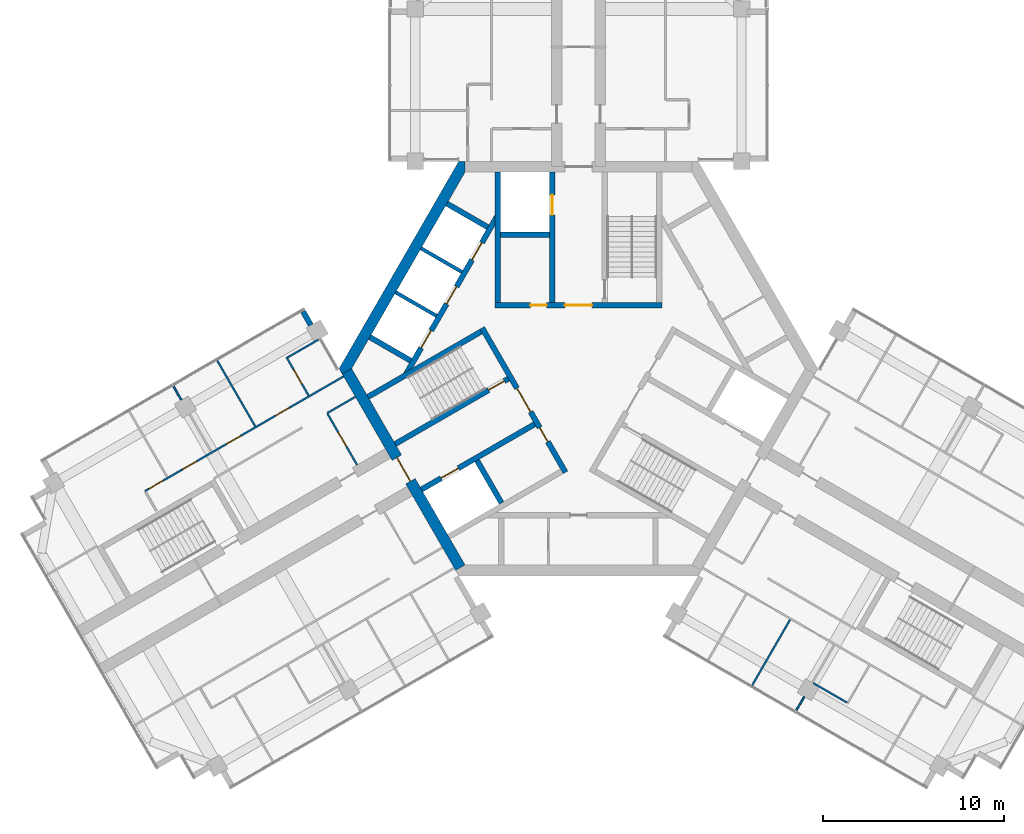
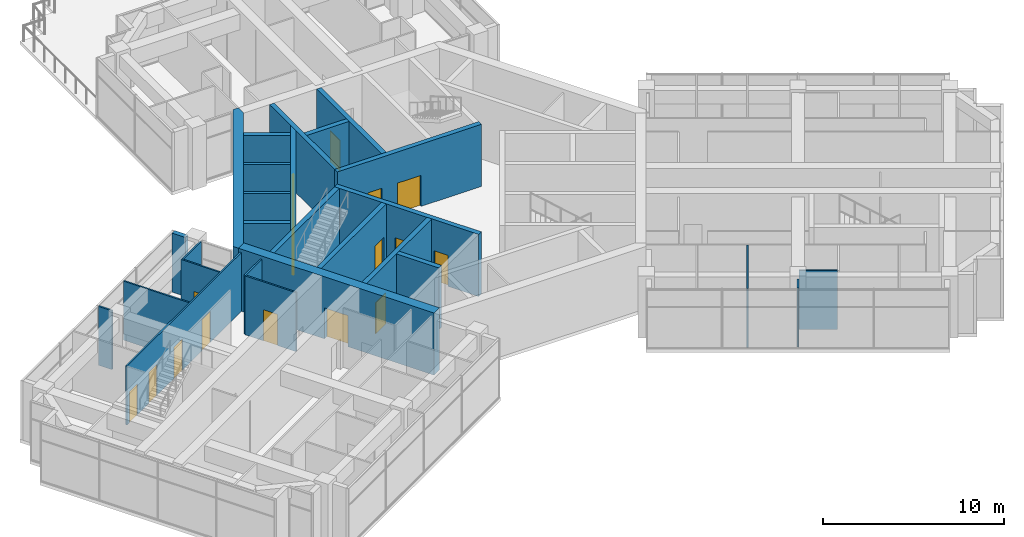
# One storey, part 11 of 15: 27 walls, 17 doors, 17 openings.
"""IFC4 building model written with IfcOpenShell, lengths in metres."""

from ifc_helpers import new_model, si_unit, direction, frame, frame_2d, origin, place, context, subcontext, project, spatial, polyline, rectangle, outline, extrude, material, layer, layer_set, type_object, element, fill, save


model = new_model("IFC4")

# Units and contexts
model_context = context("Model", 3, precision=1e-05, world=origin(), true_north=direction((0.0, 1.0)))
body_context = subcontext(model_context, "Body", "Model", "MODEL_VIEW")
ifc_project = project(units=[si_unit("LENGTHUNIT", "METRE"), si_unit("AREAUNIT", "SQUARE_METRE"), si_unit("VOLUMEUNIT", "CUBIC_METRE"), si_unit("PLANEANGLEUNIT", "RADIAN"), si_unit("MASSUNIT", "GRAM", prefix="KILO")], contexts=[model_context])

# Site, building, storey
site_placement = place(None, origin())
site = spatial("IfcSite", under=ifc_project, at=site_placement, CompositionType="ELEMENT")
building_placement = place(site_placement, origin())
building = spatial("IfcBuilding", under=site, at=building_placement, Name="Impinga Residences", CompositionType="ELEMENT")
storey_placement = place(building_placement, frame((0.0, 0.0, 274.75)))
storey = spatial("IfcBuildingStorey", under=building, at=storey_placement, Name="L69", CompositionType="ELEMENT", Elevation=274.75)

# Walls
ifc_material_1 = material(Name="Stone facing on blockwork", Category="masonry")
ifc_layer_1 = layer(ifc_material_1, 0.300048828125)
ifc_layer_set_1 = layer_set([ifc_layer_1], Name="EW2 external wall, stone facing on blockwork 300")
wall_type_1 = type_object("IfcWallType", Name="EW2 external wall, stone facing on blockwork 300", PredefinedType="SOLIDWALL", material=ifc_layer_set_1)
wall_1_placement = place(storey_placement, frame((-15.1875, 3.142333984375, 0.0), z_axis=(0.0, 0.0, 1.0), x_axis=(0.500098305348, -0.865968639725, 0.0)))
element("IfcWall", 1, at=wall_1_placement, inside=storey, type_object=wall_type_1, Name="External wall EW2 L69", PredefinedType="SOLIDWALL", context=body_context, shape_type="SweptSolid", body=[
    extrude(rectangle(XDim=0.862060546875, YDim=0.300048828125, at=frame_2d((0.43115234375, 0.0))), origin(), (0.0, 0.0, 1.0), 3.97998046875),
])
ifc_material_2 = material(Name="Gypsum board on steel studs", Category="steel")
ifc_layer_2 = layer(ifc_material_2, 0.10009765625)
ifc_layer_set_2 = layer_set([ifc_layer_2], Name="Gypsum board on steel studs")
wall_type_2 = type_object("IfcWallType", Name="IP1 partition 100", PredefinedType="PARTITIONING", material=ifc_layer_set_2)
wall_2_placement = place(storey_placement, frame((-12.300048828125, -1.558837890625, 0.0), z_axis=(0.0, 0.0, 1.0), x_axis=(-0.866047807691, -0.499961193289, 0.0)))
element("IfcWall", 2, at=wall_2_placement, inside=storey, type_object=wall_type_2, Name="Partition L69-WF1:DIV0", PredefinedType="PARTITIONING", context=body_context, shape_type="SweptSolid", body=[
    extrude(rectangle(XDim=1.800048828125, YDim=0.10009765625, at=frame_2d((0.89990234375, 0.0))), origin(), (0.0, 0.0, 1.0), 3.97998046875),
])

# Wall, openings, doors
wall_3_placement = place(storey_placement, frame((-12.949951171875, -0.43310546875, 0.0), z_axis=(0.0, 0.0, 1.0), x_axis=(-0.866029069366, -0.499993650972, 0.0)))
wall_3 = element("IfcWall", 3, at=wall_3_placement, inside=storey, type_object=wall_type_2, Name="Partition L69-WF1:STRIP", PredefinedType="PARTITIONING", context=body_context, shape_type="SweptSolid", body=[
    extrude(rectangle(XDim=12.650146484375, YDim=0.10009765625, at=frame_2d((6.3251953125, 0.0))), origin(), (0.0, 0.0, 1.0), 3.97998046875),
])
opening_1_placement = place(wall_3_placement, frame((3.449951171875, 0.0, 0.0)))
opening_1 = element("IfcOpeningElement", 4, at=opening_1_placement, cuts=wall_3, Name="Opening D2", PredefinedType="OPENING", context=body_context, shape_type="SweptSolid", body=[
    extrude(rectangle(XDim=0.89990234375, YDim=2.10009765625, at=frame_2d((0.449951171875, 1.050048828125))), frame((0.0, 0.06005859375, 0.0), z_axis=(0.0, -1.0, 0.0), x_axis=(1.0, 0.0, 0.0)), (0.0, 0.0, 1.0), 0.1201171875),
])
opening_2_placement = place(wall_3_placement, frame((6.550048828125, 0.0, 0.0)))
opening_2 = element("IfcOpeningElement", 5, at=opening_2_placement, cuts=wall_3, Name="Opening D2", PredefinedType="OPENING", context=body_context, shape_type="SweptSolid", body=[
    extrude(rectangle(XDim=0.89990234375, YDim=2.10009765625, at=frame_2d((0.449951171875, 1.050048828125))), frame((0.0, 0.06005859375, 0.0), z_axis=(0.0, -1.0, 0.0), x_axis=(1.0, 0.0, 0.0)), (0.0, 0.0, 1.0), 0.1201171875),
])
opening_3_placement = place(wall_3_placement, frame((9.35009765625, 0.0, 0.0)))
opening_3 = element("IfcOpeningElement", 6, at=opening_3_placement, cuts=wall_3, Name="Opening D2", PredefinedType="OPENING", context=body_context, shape_type="SweptSolid", body=[
    extrude(rectangle(XDim=0.89990234375, YDim=2.10009765625, at=frame_2d((0.449951171875, 1.050048828125))), frame((0.0, 0.06005859375, 0.0), z_axis=(0.0, -1.0, 0.0), x_axis=(1.0, 0.0, 0.0)), (0.0, 0.0, 1.0), 0.1201171875),
])
opening_4_placement = place(wall_3_placement, frame((11.5, 0.0, 0.0)))
opening_4 = element("IfcOpeningElement", 7, at=opening_4_placement, cuts=wall_3, Name="Opening D2", PredefinedType="OPENING", context=body_context, shape_type="SweptSolid", body=[
    extrude(rectangle(XDim=0.89990234375, YDim=2.10009765625, at=frame_2d((0.449951171875, 1.050048828125))), frame((0.0, 0.06005859375, 0.0), z_axis=(0.0, -1.0, 0.0), x_axis=(1.0, 0.0, 0.0)), (0.0, 0.0, 1.0), 0.1201171875),
])
ifc_material_3 = material(Name="Timber door set", Category="wood")
door_type_1 = type_object("IfcDoorType", Name="D2 internal door 900x2100", OperationType="SINGLE_SWING_LEFT", PredefinedType="DOOR", material=ifc_material_3)
door_1_placement = place(opening_1_placement, origin())
door_1 = element("IfcDoor", 8, at=door_1_placement, inside=storey, type_object=door_type_1, Name="Apartment L69-WF1 room door", OperationType="SINGLE_SWING_LEFT", OverallHeight=2.10009765625, OverallWidth=0.89990234375, PredefinedType="DOOR", context=body_context, shape_type="SweptSolid", body=[
    extrude(rectangle(XDim=0.89990234375, YDim=2.10009765625, at=frame_2d((0.449951171875, 1.050048828125))), frame((0.0, 0.02490234375, 0.0), z_axis=(0.0, -1.0, 0.0), x_axis=(1.0, 0.0, 0.0)), (0.0, 0.0, 1.0), 0.050048828125),
])
fill(opening_1, door_1)
door_2_placement = place(opening_2_placement, origin())
door_2 = element("IfcDoor", 9, at=door_2_placement, inside=storey, type_object=door_type_1, Name="Apartment L69-WF1 room door", OperationType="SINGLE_SWING_RIGHT", OverallHeight=2.10009765625, OverallWidth=0.89990234375, PredefinedType="DOOR", context=body_context, shape_type="SweptSolid", body=[
    extrude(rectangle(XDim=0.89990234375, YDim=2.10009765625, at=frame_2d((0.449951171875, 1.050048828125))), frame((0.0, 0.02490234375, 0.0), z_axis=(0.0, -1.0, 0.0), x_axis=(1.0, 0.0, 0.0)), (0.0, 0.0, 1.0), 0.050048828125),
])
fill(opening_2, door_2)
door_3_placement = place(opening_3_placement, origin())
door_3 = element("IfcDoor", 10, at=door_3_placement, inside=storey, type_object=door_type_1, Name="Apartment L69-WF1 room door", OperationType="SINGLE_SWING_RIGHT", OverallHeight=2.10009765625, OverallWidth=0.89990234375, PredefinedType="DOOR", context=body_context, shape_type="SweptSolid", body=[
    extrude(rectangle(XDim=0.89990234375, YDim=2.10009765625, at=frame_2d((0.449951171875, 1.050048828125))), frame((0.0, 0.02490234375, 0.0), z_axis=(0.0, -1.0, 0.0), x_axis=(1.0, 0.0, 0.0)), (0.0, 0.0, 1.0), 0.050048828125),
])
fill(opening_3, door_3)
door_4_placement = place(opening_4_placement, origin())
door_4 = element("IfcDoor", 11, at=door_4_placement, inside=storey, type_object=door_type_1, Name="Apartment L69-WF1 room door", OperationType="SINGLE_SWING_RIGHT", OverallHeight=2.10009765625, OverallWidth=0.89990234375, PredefinedType="DOOR", context=body_context, shape_type="SweptSolid", body=[
    extrude(rectangle(XDim=0.89990234375, YDim=2.10009765625, at=frame_2d((0.449951171875, 1.050048828125))), frame((0.0, 0.02490234375, 0.0), z_axis=(0.0, -1.0, 0.0), x_axis=(1.0, 0.0, 0.0)), (0.0, 0.0, 1.0), 0.050048828125),
])
fill(opening_4, door_4)

# Wall, opening, door
wall_4_placement = place(storey_placement, frame((-12.208740234375, -5.316650390625, 0.0), z_axis=(0.0, 0.0, 1.0), x_axis=(-0.500017246033, 0.866015446554, 0.0)))
wall_4 = element("IfcWall", 12, at=wall_4_placement, inside=storey, type_object=wall_type_2, Name="Partition L69-WF1:IB1", PredefinedType="PARTITIONING", context=body_context, shape_type="SweptSolid", body=[
    extrude(rectangle(XDim=3.25, YDim=0.10009765625, at=frame_2d((1.625, 0.0))), origin(), (0.0, 0.0, 1.0), 3.97998046875),
])
opening_5_placement = place(wall_4_placement, frame((1.175048828125, 0.0, 0.0)))
opening_5 = element("IfcOpeningElement", 13, at=opening_5_placement, cuts=wall_4, Name="Opening D2", PredefinedType="OPENING", context=body_context, shape_type="SweptSolid", body=[
    extrude(rectangle(XDim=0.89990234375, YDim=2.10009765625, at=frame_2d((0.449951171875, 1.050048828125))), frame((0.0, 0.06005859375, 0.0), z_axis=(0.0, -1.0, 0.0), x_axis=(1.0, 0.0, 0.0)), (0.0, 0.0, 1.0), 0.1201171875),
])
door_5_placement = place(opening_5_placement, origin())
door_5 = element("IfcDoor", 14, at=door_5_placement, inside=storey, type_object=door_type_1, Name="Apartment L69-WF1 bathroom door", OperationType="SINGLE_SWING_LEFT", OverallHeight=2.10009765625, OverallWidth=0.89990234375, PredefinedType="DOOR", context=body_context, shape_type="SweptSolid", body=[
    extrude(rectangle(XDim=0.89990234375, YDim=2.10009765625, at=frame_2d((0.449951171875, 1.050048828125))), frame((0.0, 0.02490234375, 0.0), z_axis=(0.0, -1.0, 0.0), x_axis=(1.0, 0.0, 0.0)), (0.0, 0.0, 1.0), 0.050048828125),
])
fill(opening_5, door_5)

# Walls
wall_5_placement = place(storey_placement, frame((-17.82470703125, -3.189697265625, 0.0), z_axis=(0.0, 0.0, 1.0), x_axis=(-0.500008475426, 0.86602051044, 0.0)))
element("IfcWall", 15, at=wall_5_placement, inside=storey, type_object=wall_type_2, Name="Partition L69-WF1:OB1", PredefinedType="PARTITIONING", context=body_context, shape_type="SweptSolid", body=[
    extrude(rectangle(XDim=4.18701171875, YDim=0.10009765625, at=frame_2d((2.093505859375, 0.0))), origin(), (0.0, 0.0, 1.0), 3.97998046875),
])
wall_6_placement = place(storey_placement, frame((-21.899658203125, -1.73193359375, 0.0), z_axis=(0.0, 0.0, 1.0), x_axis=(-0.499803706212, 0.866138704398, 0.0)))
element("IfcWall", 16, at=wall_6_placement, inside=storey, type_object=wall_type_2, Name="Partition L69-WF1:OB2b", PredefinedType="PARTITIONING", context=body_context, shape_type="SweptSolid", body=[
    extrude(rectangle(XDim=0.866943359375, YDim=0.10009765625, at=frame_2d((0.43359375, 0.0))), origin(), (0.0, 0.0, 1.0), 3.97998046875),
])

# Wall, opening, door
wall_7_placement = place(storey_placement, frame((-14.88037109375, -1.48974609375, 0.0), z_axis=(0.0, 0.0, 1.0), x_axis=(-0.499943856944, 0.866057815567, 0.0)))
wall_7 = element("IfcWall", 17, at=wall_7_placement, inside=storey, type_object=wall_type_2, Name="Partition L69-WF1:EN1", PredefinedType="PARTITIONING", context=body_context, shape_type="SweptSolid", body=[
    extrude(rectangle(XDim=2.449951171875, YDim=0.10009765625, at=frame_2d((1.22509765625, 0.0))), origin(), (0.0, 0.0, 1.0), 3.97998046875),
])
opening_6_placement = place(wall_7_placement, frame((0.75, 0.0, 0.0)))
opening_6 = element("IfcOpeningElement", 18, at=opening_6_placement, cuts=wall_7, Name="Opening D2", PredefinedType="OPENING", context=body_context, shape_type="SweptSolid", body=[
    extrude(rectangle(XDim=0.89990234375, YDim=2.10009765625, at=frame_2d((0.449951171875, 1.050048828125))), frame((0.0, 0.06005859375, 0.0), z_axis=(0.0, -1.0, 0.0), x_axis=(1.0, 0.0, 0.0)), (0.0, 0.0, 1.0), 0.1201171875),
])
door_6_placement = place(opening_6_placement, origin())
door_6 = element("IfcDoor", 19, at=door_6_placement, inside=storey, type_object=door_type_1, Name="Apartment L69-WF1 en-suite door", OperationType="SINGLE_SWING_LEFT", OverallHeight=2.10009765625, OverallWidth=0.89990234375, PredefinedType="DOOR", context=body_context, shape_type="SweptSolid", body=[
    extrude(rectangle(XDim=0.89990234375, YDim=2.10009765625, at=frame_2d((0.449951171875, 1.050048828125))), frame((0.0, 0.02490234375, 0.0), z_axis=(0.0, -1.0, 0.0), x_axis=(1.0, 0.0, 0.0)), (0.0, 0.0, 1.0), 0.050048828125),
])
fill(opening_6, door_6)

# Walls
wall_8_placement = place(storey_placement, frame((-14.33349609375, 1.59716796875, 0.0), z_axis=(0.0, 0.0, 1.0), x_axis=(-0.866034692906, -0.499983910424, 0.0)))
element("IfcWall", 20, at=wall_8_placement, inside=storey, type_object=wall_type_2, Name="Partition L69-WF1:EN2", PredefinedType="PARTITIONING", context=body_context, shape_type="SweptSolid", body=[
    extrude(rectangle(XDim=1.966796875, YDim=0.10009765625, at=frame_2d((0.9833984375, 0.0))), origin(), (0.0, 0.0, 1.0), 3.97998046875),
])
wall_9_placement = place(storey_placement, frame((11.6748046875, -13.841796875, 0.0), z_axis=(0.0, 0.0, 1.0), x_axis=(-0.500008475426, -0.86602051044, 0.0)))
element("IfcWall", 21, at=wall_9_placement, inside=storey, type_object=wall_type_2, Name="Partition L69-EF1:OB2", PredefinedType="PARTITIONING", context=body_context, shape_type="SweptSolid", body=[
    extrude(rectangle(XDim=4.18701171875, YDim=0.10009765625, at=frame_2d((2.093505859375, 0.0))), origin(), (0.0, 0.0, 1.0), 3.97998046875),
])
wall_10_placement = place(storey_placement, frame((12.44970703125, -18.099609375, 0.0), z_axis=(0.0, 0.0, 1.0), x_axis=(-0.500014901547, -0.866016800201, 0.0)))
element("IfcWall", 22, at=wall_10_placement, inside=storey, type_object=wall_type_2, Name="Partition L69-EF1:OB3b", PredefinedType="PARTITIONING", context=body_context, shape_type="SweptSolid", body=[
    extrude(rectangle(XDim=0.8671875, YDim=0.10009765625, at=frame_2d((0.43359375, 0.0))), origin(), (0.0, 0.0, 1.0), 3.97998046875),
])
wall_11_placement = place(storey_placement, frame((12.94287109375, -17.34521484375, 0.0), z_axis=(0.0, 0.0, 1.0), x_axis=(0.866047553582, -0.499961633463, 0.0)))
element("IfcWall", 23, at=wall_11_placement, inside=storey, type_object=wall_type_2, Name="Partition L69-EF1:EN2", PredefinedType="PARTITIONING", context=body_context, shape_type="SweptSolid", body=[
    extrude(rectangle(XDim=2.150146484375, YDim=0.10009765625, at=frame_2d((1.0751953125, 0.0))), origin(), (0.0, 0.0, 1.0), 3.97998046875),
])

# Wall, opening, door
ifc_material_4 = material(Name="Concrete C60/75", Category="concrete")
ifc_layer_3 = layer(ifc_material_4, 0.60009765625)
ifc_layer_set_3 = layer_set([ifc_layer_3], Name="Concrete C60/75")
wall_type_3 = type_object("IfcWallType", Name="SW4 core wall, crown 600", PredefinedType="SHEAR", material=ifc_layer_set_3)
wall_12_placement = place(storey_placement, frame((-6.513427734375, -10.9814453125, 0.0), z_axis=(0.0, 0.0, 1.0), x_axis=(-0.500004069281, 0.866023054371, 0.0)))
wall_12 = element("IfcWall", 24, at=wall_12_placement, inside=storey, type_object=wall_type_3, Name="Core wall SW4 W:FACE L69", PredefinedType="SHEAR", context=body_context, shape_type="SweptSolid", body=[
    extrude(rectangle(XDim=12.50732421875, YDim=0.60009765625, at=frame_2d((6.253662109375, 0.0))), origin(), (0.0, 0.0, 1.0), 4.199951171875),
])
opening_7_placement = place(wall_12_placement, frame((5.503662109375, 0.0, 0.0)))
opening_7 = element("IfcOpeningElement", 25, at=opening_7_placement, cuts=wall_12, Name="Opening D4", PredefinedType="OPENING", context=body_context, shape_type="SweptSolid", body=[
    extrude(rectangle(XDim=1.5, YDim=2.10009765625, at=frame_2d((0.75, 1.050048828125))), frame((0.0, 0.31005859375, 0.0), z_axis=(0.0, -1.0, 0.0), x_axis=(1.0, 0.0, 0.0)), (0.0, 0.0, 1.0), 0.6201171875),
])
door_type_2 = type_object("IfcDoorType", Name="D4 lobby door pair 1500x2100", OperationType="DOUBLE_DOOR_DOUBLE_SWING", PredefinedType="DOOR", material=ifc_material_3)
door_7_placement = place(opening_7_placement, origin())
door_7 = element("IfcDoor", 26, at=door_7_placement, inside=storey, type_object=door_type_2, Name="Lobby door W", OperationType="DOUBLE_DOOR_DOUBLE_SWING", OverallHeight=2.10009765625, OverallWidth=1.5, PredefinedType="DOOR", context=body_context, shape_type="SweptSolid", body=[
    extrude(rectangle(XDim=1.5, YDim=2.10009765625, at=frame_2d((0.75, 1.050048828125))), frame((0.0, 0.02490234375, 0.0), z_axis=(0.0, -1.0, 0.0), x_axis=(1.0, 0.0, 0.0)), (0.0, 0.0, 1.0), 0.050048828125),
])
fill(opening_7, door_7)

# Wall
wall_13_placement = place(storey_placement, origin())
element("IfcWall", 27, at=wall_13_placement, inside=storey, type_object=wall_type_3, Name="Core wall SW4 E:EXPOSED L69", PredefinedType="SHEAR", context=body_context, shape_type="SweptSolid", body=[
    extrude(outline(polyline([(-6.60009765625, 11.431640625), (-13.199951171875, 0.0), (-13.02685546875, -0.300048828125), (-12.507080078125, 0.0), (-6.253662109375, 10.83154296875), (-6.253662109375, 11.431640625), (-6.60009765625, 11.431640625)])), origin(), (0.0, 0.0, 1.0), 4.199951171875),
])

# Wall, openings, doors
ifc_material_5 = material(Name="Concrete C70/85", Category="concrete")
ifc_layer_4 = layer(ifc_material_5, 0.300048828125)
ifc_layer_set_4 = layer_set([ifc_layer_4], Name="Concrete C70/85")
wall_type_4 = type_object("IfcWallType", Name="SW5 core inner wall, stairs, shafts and lobbies 300", PredefinedType="SHEAR", material=ifc_layer_set_4)
wall_14_placement = place(storey_placement, frame((-4.60009765625, 3.47998046875, 0.0), z_axis=(0.0, 0.0, 1.0), x_axis=(1.0, 0.0, 0.0)))
wall_14 = element("IfcWall", 28, at=wall_14_placement, inside=storey, type_object=wall_type_4, Name="Core wall SW5 N:ZONE L69", PredefinedType="SHEAR", context=body_context, shape_type="SweptSolid", body=[
    extrude(rectangle(XDim=9.2001953125, YDim=0.300048828125, at=frame_2d((4.60009765625, 0.0))), origin(), (0.0, 0.0, 1.0), 4.199951171875),
])
opening_8_placement = place(wall_14_placement, frame((3.85009765625, 0.0, 0.0)))
opening_8 = element("IfcOpeningElement", 29, at=opening_8_placement, cuts=wall_14, Name="Opening D4", PredefinedType="OPENING", context=body_context, shape_type="SweptSolid", body=[
    extrude(rectangle(XDim=1.5, YDim=2.10009765625, at=frame_2d((0.75, 1.050048828125))), frame((0.0, 0.159912109375, 0.0), z_axis=(0.0, -1.0, 0.0), x_axis=(1.0, 0.0, 0.0)), (0.0, 0.0, 1.0), 0.320068359375),
])
opening_9_placement = place(wall_14_placement, frame((1.949951171875, 0.0, 0.0)))
opening_9 = element("IfcOpeningElement", 30, at=opening_9_placement, cuts=wall_14, Name="Opening D6", PredefinedType="OPENING", context=body_context, shape_type="SweptSolid", body=[
    extrude(rectangle(XDim=0.89990234375, YDim=2.10009765625, at=frame_2d((0.449951171875, 1.050048828125))), frame((0.0, 0.159912109375, 0.0), z_axis=(0.0, -1.0, 0.0), x_axis=(1.0, 0.0, 0.0)), (0.0, 0.0, 1.0), 0.320068359375),
])
door_8_placement = place(opening_8_placement, origin())
door_8 = element("IfcDoor", 31, at=door_8_placement, inside=storey, type_object=door_type_2, Name="Firefighting lobby door N", OperationType="DOUBLE_DOOR_DOUBLE_SWING", OverallHeight=2.10009765625, OverallWidth=1.5, PredefinedType="DOOR", context=body_context, shape_type="SweptSolid", body=[
    extrude(rectangle(XDim=1.5, YDim=2.10009765625, at=frame_2d((0.75, 1.050048828125))), frame((0.0, 0.02490234375, 0.0), z_axis=(0.0, -1.0, 0.0), x_axis=(1.0, 0.0, 0.0)), (0.0, 0.0, 1.0), 0.050048828125),
])
fill(opening_8, door_8)
door_type_3 = type_object("IfcDoorType", Name="D6 riser and store door 900x2100", OperationType="SINGLE_SWING_LEFT", PredefinedType="DOOR", material=ifc_material_3)
door_9_placement = place(opening_9_placement, origin())
door_9 = element("IfcDoor", 32, at=door_9_placement, inside=storey, type_object=door_type_3, Name="Riser door N", OperationType="SINGLE_SWING_LEFT", OverallHeight=2.10009765625, OverallWidth=0.89990234375, PredefinedType="DOOR", context=body_context, shape_type="SweptSolid", body=[
    extrude(rectangle(XDim=0.89990234375, YDim=2.10009765625, at=frame_2d((0.449951171875, 1.050048828125))), frame((0.0, 0.02490234375, 0.0), z_axis=(0.0, -1.0, 0.0), x_axis=(1.0, 0.0, 0.0)), (0.0, 0.0, 1.0), 0.050048828125),
])
fill(opening_9, door_9)

# Wall, opening, door
wall_15_placement = place(storey_placement, frame((-1.449951171875, 3.6298828125, 0.0), z_axis=(0.0, 0.0, 1.0), x_axis=(0.0, 1.0, 0.0)))
wall_15 = element("IfcWall", 33, at=wall_15_placement, inside=storey, type_object=wall_type_4, Name="Core wall SW5 N:FF-IN L69", PredefinedType="SHEAR", context=body_context, shape_type="SweptSolid", body=[
    extrude(rectangle(XDim=7.20166015625, YDim=0.300048828125, at=frame_2d((3.600830078125, 0.0))), origin(), (0.0, 0.0, 1.0), 4.199951171875),
])
opening_10_placement = place(wall_15_placement, frame((4.85009765625, 0.0, 0.0)))
opening_10 = element("IfcOpeningElement", 34, at=opening_10_placement, cuts=wall_15, Name="Opening LD2", PredefinedType="OPENING", context=body_context, shape_type="SweptSolid", body=[
    extrude(rectangle(XDim=1.10009765625, YDim=2.10009765625, at=frame_2d((0.550048828125, 1.050048828125))), frame((0.0, 0.159912109375, 0.0), z_axis=(0.0, -1.0, 0.0), x_axis=(1.0, 0.0, 0.0)), (0.0, 0.0, 1.0), 0.320068359375),
])
ifc_material_6 = material(Name="Steel lift landing door", Category="steel")
door_type_4 = type_object("IfcDoorType", Name="LD2 firefighting lift landing door 1100x2100", OperationType="DOUBLE_DOOR_SLIDING", PredefinedType="DOOR", material=ifc_material_6)
door_10_placement = place(opening_10_placement, origin())
door_10 = element("IfcDoor", 35, at=door_10_placement, inside=storey, type_object=door_type_4, Name="Firefighting lift landing door F1", OperationType="DOUBLE_DOOR_SLIDING", OverallHeight=2.10009765625, OverallWidth=1.10009765625, PredefinedType="DOOR", context=body_context, shape_type="SweptSolid", body=[
    extrude(rectangle(XDim=1.10009765625, YDim=2.10009765625, at=frame_2d((0.550048828125, 1.050048828125))), frame((0.0, 0.02490234375, 0.0), z_axis=(0.0, -1.0, 0.0), x_axis=(1.0, 0.0, 0.0)), (0.0, 0.0, 1.0), 0.050048828125),
])
fill(opening_10, door_10)

# Walls
wall_16_placement = place(storey_placement, frame((-4.449951171875, 3.6298828125, 0.0), z_axis=(0.0, 0.0, 1.0), x_axis=(0.0, 1.0, 0.0)))
element("IfcWall", 36, at=wall_16_placement, inside=storey, type_object=wall_type_4, Name="Core wall SW5 N:FF-OUT L69", PredefinedType="SHEAR", context=body_context, shape_type="SweptSolid", body=[
    extrude(rectangle(XDim=7.20166015625, YDim=0.300048828125, at=frame_2d((3.600830078125, 0.0))), origin(), (0.0, 0.0, 1.0), 4.199951171875),
])
wall_17_placement = place(storey_placement, frame((-4.300048828125, 7.3798828125, 0.0), z_axis=(0.0, 0.0, 1.0), x_axis=(1.0, 0.0, 0.0)))
element("IfcWall", 37, at=wall_17_placement, inside=storey, type_object=wall_type_4, Name="Core wall SW5 N:FF-RS L69", PredefinedType="SHEAR", context=body_context, shape_type="SweptSolid", body=[
    extrude(rectangle(XDim=2.699951171875, YDim=0.300048828125, at=frame_2d((1.35009765625, 0.0))), origin(), (0.0, 0.0, 1.0), 4.199951171875),
])

# Wall, openings, doors
wall_18_placement = place(storey_placement, frame((-0.7138671875, -5.7236328125, 0.0), z_axis=(0.0, 0.0, 1.0), x_axis=(-0.499995050369, 0.866028261437, 0.0)))
wall_18 = element("IfcWall", 38, at=wall_18_placement, inside=storey, type_object=wall_type_4, Name="Core wall SW5 W:ZONE L69", PredefinedType="SHEAR", context=body_context, shape_type="SweptSolid", body=[
    extrude(rectangle(XDim=9.19970703125, YDim=0.300048828125, at=frame_2d((4.599853515625, 0.0))), origin(), (0.0, 0.0, 1.0), 4.199951171875),
])
opening_11_placement = place(wall_18_placement, frame((3.85009765625, 0.0, 0.0)))
opening_11 = element("IfcOpeningElement", 39, at=opening_11_placement, cuts=wall_18, Name="Opening D4", PredefinedType="OPENING", context=body_context, shape_type="SweptSolid", body=[
    extrude(rectangle(XDim=1.5, YDim=2.10009765625, at=frame_2d((0.75, 1.050048828125))), frame((0.0, 0.159912109375, 0.0), z_axis=(0.0, -1.0, 0.0), x_axis=(1.0, 0.0, 0.0)), (0.0, 0.0, 1.0), 0.320068359375),
])
opening_12_placement = place(wall_18_placement, frame((1.949951171875, 0.0, 0.0)))
opening_12 = element("IfcOpeningElement", 40, at=opening_12_placement, cuts=wall_18, Name="Opening D6", PredefinedType="OPENING", context=body_context, shape_type="SweptSolid", body=[
    extrude(rectangle(XDim=0.89990234375, YDim=2.10009765625, at=frame_2d((0.449951171875, 1.050048828125))), frame((0.0, 0.159912109375, 0.0), z_axis=(0.0, -1.0, 0.0), x_axis=(1.0, 0.0, 0.0)), (0.0, 0.0, 1.0), 0.320068359375),
])
door_11_placement = place(opening_11_placement, origin())
door_11 = element("IfcDoor", 41, at=door_11_placement, inside=storey, type_object=door_type_2, Name="Firefighting lobby door W", OperationType="DOUBLE_DOOR_DOUBLE_SWING", OverallHeight=2.10009765625, OverallWidth=1.5, PredefinedType="DOOR", context=body_context, shape_type="SweptSolid", body=[
    extrude(rectangle(XDim=1.5, YDim=2.10009765625, at=frame_2d((0.75, 1.050048828125))), frame((0.0, 0.02490234375, 0.0), z_axis=(0.0, -1.0, 0.0), x_axis=(1.0, 0.0, 0.0)), (0.0, 0.0, 1.0), 0.050048828125),
])
fill(opening_11, door_11)
door_12_placement = place(opening_12_placement, origin())
door_12 = element("IfcDoor", 42, at=door_12_placement, inside=storey, type_object=door_type_3, Name="Riser door W", OperationType="SINGLE_SWING_LEFT", OverallHeight=2.10009765625, OverallWidth=0.89990234375, PredefinedType="DOOR", context=body_context, shape_type="SweptSolid", body=[
    extrude(rectangle(XDim=0.89990234375, YDim=2.10009765625, at=frame_2d((0.449951171875, 1.050048828125))), frame((0.0, 0.02490234375, 0.0), z_axis=(0.0, -1.0, 0.0), x_axis=(1.0, 0.0, 0.0)), (0.0, 0.0, 1.0), 0.050048828125),
])
fill(opening_12, door_12)

# Wall, opening, door
wall_19_placement = place(storey_placement, frame((-3.86865234375, -0.559326171875, 0.0), z_axis=(0.0, 0.0, 1.0), x_axis=(-0.866039935929, -0.499974828743, 0.0)))
wall_19 = element("IfcWall", 43, at=wall_19_placement, inside=storey, type_object=wall_type_4, Name="Core wall SW5 W:ST-IN L69", PredefinedType="SHEAR", context=body_context, shape_type="SweptSolid", body=[
    extrude(rectangle(XDim=7.201416015625, YDim=0.300048828125, at=frame_2d((3.6005859375, 0.0))), origin(), (0.0, 0.0, 1.0), 4.199951171875),
])
opening_13_placement = place(wall_19_placement, frame((0.25, 0.0, 0.0)))
opening_13 = element("IfcOpeningElement", 44, at=opening_13_placement, cuts=wall_19, Name="Opening D5", PredefinedType="OPENING", context=body_context, shape_type="SweptSolid", body=[
    extrude(rectangle(XDim=1.0, YDim=2.10009765625, at=frame_2d((0.5, 1.050048828125))), frame((0.0, 0.159912109375, 0.0), z_axis=(0.0, -1.0, 0.0), x_axis=(1.0, 0.0, 0.0)), (0.0, 0.0, 1.0), 0.320068359375),
])
door_type_5 = type_object("IfcDoorType", Name="D5 stair door 1000x2100", OperationType="SINGLE_SWING_LEFT", PredefinedType="DOOR", material=ifc_material_3)
door_13_placement = place(opening_13_placement, origin())
door_13 = element("IfcDoor", 45, at=door_13_placement, inside=storey, type_object=door_type_5, Name="Stair door W", OperationType="SINGLE_SWING_LEFT", OverallHeight=2.10009765625, OverallWidth=1.0, PredefinedType="DOOR", context=body_context, shape_type="SweptSolid", body=[
    extrude(rectangle(XDim=1.0, YDim=2.10009765625, at=frame_2d((0.5, 1.050048828125))), frame((0.0, 0.02490234375, 0.0), z_axis=(0.0, -1.0, 0.0), x_axis=(1.0, 0.0, 0.0)), (0.0, 0.0, 1.0), 0.050048828125),
])
fill(opening_13, door_13)

# Wall
wall_20_placement = place(storey_placement, frame((-5.36865234375, 2.038818359375, 0.0), z_axis=(0.0, 0.0, 1.0), x_axis=(-0.866025256649, -0.500000254847, 0.0)))
element("IfcWall", 46, at=wall_20_placement, inside=storey, type_object=wall_type_4, Name="Core wall SW5 W:ST-OUT L69", PredefinedType="SHEAR", context=body_context, shape_type="SweptSolid", body=[
    extrude(rectangle(XDim=7.20166015625, YDim=0.300048828125, at=frame_2d((3.600830078125, 0.0))), origin(), (0.0, 0.0, 1.0), 4.199951171875),
])

# Wall, opening, door
wall_21_placement = place(storey_placement, frame((-2.418701171875, -3.07080078125, 0.0), z_axis=(0.0, 0.0, 1.0), x_axis=(-0.86603146111, -0.499989508258, 0.0)))
wall_21 = element("IfcWall", 47, at=wall_21_placement, inside=storey, type_object=wall_type_4, Name="Core wall SW5 W:FF-IN L69", PredefinedType="SHEAR", context=body_context, shape_type="SweptSolid", body=[
    extrude(rectangle(XDim=7.201416015625, YDim=0.300048828125, at=frame_2d((3.6005859375, 0.0))), origin(), (0.0, 0.0, 1.0), 4.199951171875),
])
opening_14_placement = place(wall_21_placement, frame((4.85009765625, 0.0, 0.0)))
opening_14 = element("IfcOpeningElement", 48, at=opening_14_placement, cuts=wall_21, Name="Opening LD2", PredefinedType="OPENING", context=body_context, shape_type="SweptSolid", body=[
    extrude(rectangle(XDim=1.10009765625, YDim=2.10009765625, at=frame_2d((0.550048828125, 1.050048828125))), frame((0.0, 0.159912109375, 0.0), z_axis=(0.0, -1.0, 0.0), x_axis=(1.0, 0.0, 0.0)), (0.0, 0.0, 1.0), 0.320068359375),
])
door_14_placement = place(opening_14_placement, origin())
door_14 = element("IfcDoor", 49, at=door_14_placement, inside=storey, type_object=door_type_4, Name="Firefighting lift landing door F2", OperationType="DOUBLE_DOOR_SLIDING", OverallHeight=2.10009765625, OverallWidth=1.10009765625, PredefinedType="DOOR", context=body_context, shape_type="SweptSolid", body=[
    extrude(rectangle(XDim=1.10009765625, YDim=2.10009765625, at=frame_2d((0.550048828125, 1.050048828125))), frame((0.0, 0.02490234375, 0.0), z_axis=(0.0, -1.0, 0.0), x_axis=(1.0, 0.0, 0.0)), (0.0, 0.0, 1.0), 0.050048828125),
])
fill(opening_14, door_14)

# Wall
wall_22_placement = place(storey_placement, frame((-4.2412109375, -7.413818359375, 0.0), z_axis=(0.0, 0.0, 1.0), x_axis=(-0.500048589285, 0.86599734893, 0.0)))
element("IfcWall", 50, at=wall_22_placement, inside=storey, type_object=wall_type_4, Name="Core wall SW5 W:FF-RS L69", PredefinedType="SHEAR", context=body_context, shape_type="SweptSolid", body=[
    extrude(rectangle(XDim=2.699951171875, YDim=0.300048828125, at=frame_2d((1.35009765625, 0.0))), origin(), (0.0, 0.0, 1.0), 4.199951171875),
])

# Wall, openings, doors
wall_23_placement = place(storey_placement, frame((-9.547607421875, -0.3740234375, 0.0), z_axis=(0.0, 0.0, 1.0), x_axis=(0.500002290144, 0.866024081565, 0.0)))
wall_23 = element("IfcWall", 51, at=wall_23_placement, inside=storey, type_object=wall_type_4, Name="Core wall SW5 E:BANK-FRONT L69", PredefinedType="SHEAR", context=body_context, shape_type="SweptSolid", body=[
    extrude(rectangle(XDim=10.1953125, YDim=0.300048828125, at=frame_2d((5.09765625, 0.0))), origin(), (0.0, 0.0, 1.0), 4.199951171875),
])
opening_15_placement = place(wall_23_placement, frame((1.74755859375, 0.0, 0.0)))
opening_15 = element("IfcOpeningElement", 52, at=opening_15_placement, cuts=wall_23, Name="Opening LD1", PredefinedType="OPENING", context=body_context, shape_type="SweptSolid", body=[
    extrude(rectangle(XDim=1.10009765625, YDim=2.10009765625, at=frame_2d((0.550048828125, 1.050048828125))), frame((0.0, 0.159912109375, 0.0), z_axis=(0.0, -1.0, 0.0), x_axis=(1.0, 0.0, 0.0)), (0.0, 0.0, 1.0), 0.320068359375),
])
opening_16_placement = place(wall_23_placement, frame((4.547607421875, 0.0, 0.0)))
opening_16 = element("IfcOpeningElement", 53, at=opening_16_placement, cuts=wall_23, Name="Opening LD1", PredefinedType="OPENING", context=body_context, shape_type="SweptSolid", body=[
    extrude(rectangle(XDim=1.10009765625, YDim=2.10009765625, at=frame_2d((0.550048828125, 1.050048828125))), frame((0.0, 0.159912109375, 0.0), z_axis=(0.0, -1.0, 0.0), x_axis=(1.0, 0.0, 0.0)), (0.0, 0.0, 1.0), 0.320068359375),
])
opening_17_placement = place(wall_23_placement, frame((7.34765625, 0.0, 0.0)))
opening_17 = element("IfcOpeningElement", 54, at=opening_17_placement, cuts=wall_23, Name="Opening LD1", PredefinedType="OPENING", context=body_context, shape_type="SweptSolid", body=[
    extrude(rectangle(XDim=1.10009765625, YDim=2.10009765625, at=frame_2d((0.550048828125, 1.050048828125))), frame((0.0, 0.159912109375, 0.0), z_axis=(0.0, -1.0, 0.0), x_axis=(1.0, 0.0, 0.0)), (0.0, 0.0, 1.0), 0.320068359375),
])
door_type_6 = type_object("IfcDoorType", Name="LD1 passenger lift landing door 1100x2100", OperationType="DOUBLE_DOOR_SLIDING", PredefinedType="DOOR", material=ifc_material_6)
door_15_placement = place(opening_15_placement, origin())
door_15 = element("IfcDoor", 55, at=door_15_placement, inside=storey, type_object=door_type_6, Name="Lift landing door P7", OperationType="DOUBLE_DOOR_SLIDING", OverallHeight=2.10009765625, OverallWidth=1.10009765625, PredefinedType="DOOR", context=body_context, shape_type="SweptSolid", body=[
    extrude(rectangle(XDim=1.10009765625, YDim=2.10009765625, at=frame_2d((0.550048828125, 1.050048828125))), frame((0.0, 0.02490234375, 0.0), z_axis=(0.0, -1.0, 0.0), x_axis=(1.0, 0.0, 0.0)), (0.0, 0.0, 1.0), 0.050048828125),
])
fill(opening_15, door_15)
door_16_placement = place(opening_16_placement, origin())
door_16 = element("IfcDoor", 56, at=door_16_placement, inside=storey, type_object=door_type_6, Name="Lift landing door P8", OperationType="DOUBLE_DOOR_SLIDING", OverallHeight=2.10009765625, OverallWidth=1.10009765625, PredefinedType="DOOR", context=body_context, shape_type="SweptSolid", body=[
    extrude(rectangle(XDim=1.10009765625, YDim=2.10009765625, at=frame_2d((0.550048828125, 1.050048828125))), frame((0.0, 0.02490234375, 0.0), z_axis=(0.0, -1.0, 0.0), x_axis=(1.0, 0.0, 0.0)), (0.0, 0.0, 1.0), 0.050048828125),
])
fill(opening_16, door_16)
door_17_placement = place(opening_17_placement, origin())
door_17 = element("IfcDoor", 57, at=door_17_placement, inside=storey, type_object=door_type_6, Name="Lift landing door P9", OperationType="DOUBLE_DOOR_SLIDING", OverallHeight=2.10009765625, OverallWidth=1.10009765625, PredefinedType="DOOR", context=body_context, shape_type="SweptSolid", body=[
    extrude(rectangle(XDim=1.10009765625, YDim=2.10009765625, at=frame_2d((0.550048828125, 1.050048828125))), frame((0.0, 0.02490234375, 0.0), z_axis=(0.0, -1.0, 0.0), x_axis=(1.0, 0.0, 0.0)), (0.0, 0.0, 1.0), 0.050048828125),
])
fill(opening_17, door_17)

# Walls
for number, where, z_axis, x_axis, name in (
    (58, (-9.253662109375, 0.43505859375, 0.0), (0.0, 0.0, 1.0), (-0.866021400173, 0.500006934395, 0.0), "Core wall SW5 E:BANK-L L69"),
    (59, (-5.003662109375, 7.79638671875, 0.0), (0.0, 0.0, 1.0), (-0.866021400173, 0.500006934395, 0.0), "Core wall SW5 E:BANK-R L69"),
):
    element("IfcWall", number, at=place(storey_placement, frame(where, z_axis=z_axis, x_axis=x_axis)), inside=storey, type_object=wall_type_4, Name=name, PredefinedType="SHEAR", context=body_context, shape_type="SweptSolid", body=[
        extrude(rectangle(XDim=2.60009765625, YDim=0.300048828125, at=frame_2d((1.300048828125, 0.0))), origin(), (0.0, 0.0, 1.0), 4.199951171875),
    ])
ifc_layer_5 = layer(ifc_material_5, 0.199951171875)
ifc_layer_set_5 = layer_set([ifc_layer_5], Name="Concrete C70/85")
wall_type_5 = type_object("IfcWallType", Name="SW6 lift shaft divider wall 200", PredefinedType="SHEAR", material=ifc_layer_set_5)
for number, where, z_axis, x_axis, name in (
    (60, (-7.82861328125, 2.9033203125, 0.0), (0.0, 0.0, 1.0), (-0.866021400173, 0.500006934395, 0.0), "Core wall SW6 E:BANK-D1 L69"),
    (61, (-6.4287109375, 5.328125, 0.0), (0.0, 0.0, 1.0), (-0.866021400173, 0.500006934395, 0.0), "Core wall SW6 E:BANK-D2 L69"),
):
    element("IfcWall", number, at=place(storey_placement, frame(where, z_axis=z_axis, x_axis=x_axis)), inside=storey, type_object=wall_type_5, Name=name, PredefinedType="SHEAR", context=body_context, shape_type="SweptSolid", body=[
        extrude(rectangle(XDim=2.60009765625, YDim=0.199951171875, at=frame_2d((1.300048828125, 0.0))), origin(), (0.0, 0.0, 1.0), 4.199951171875),
    ])

save(model, "model.ifc")
